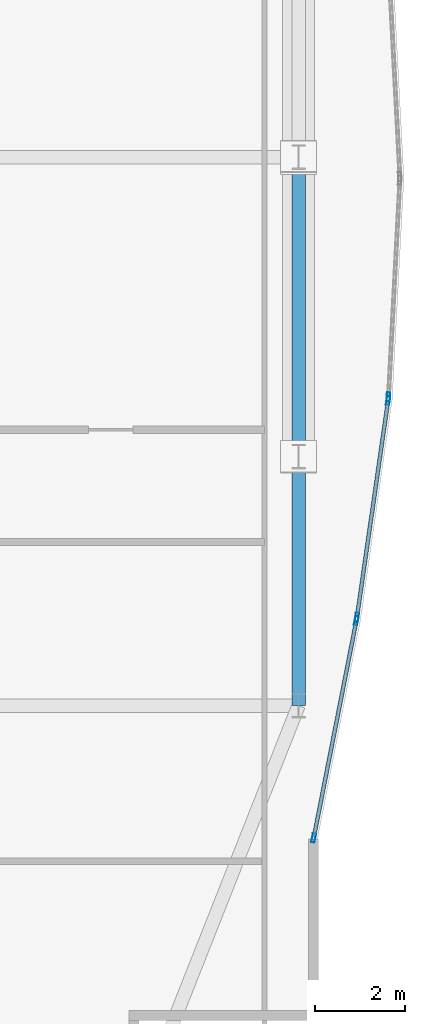
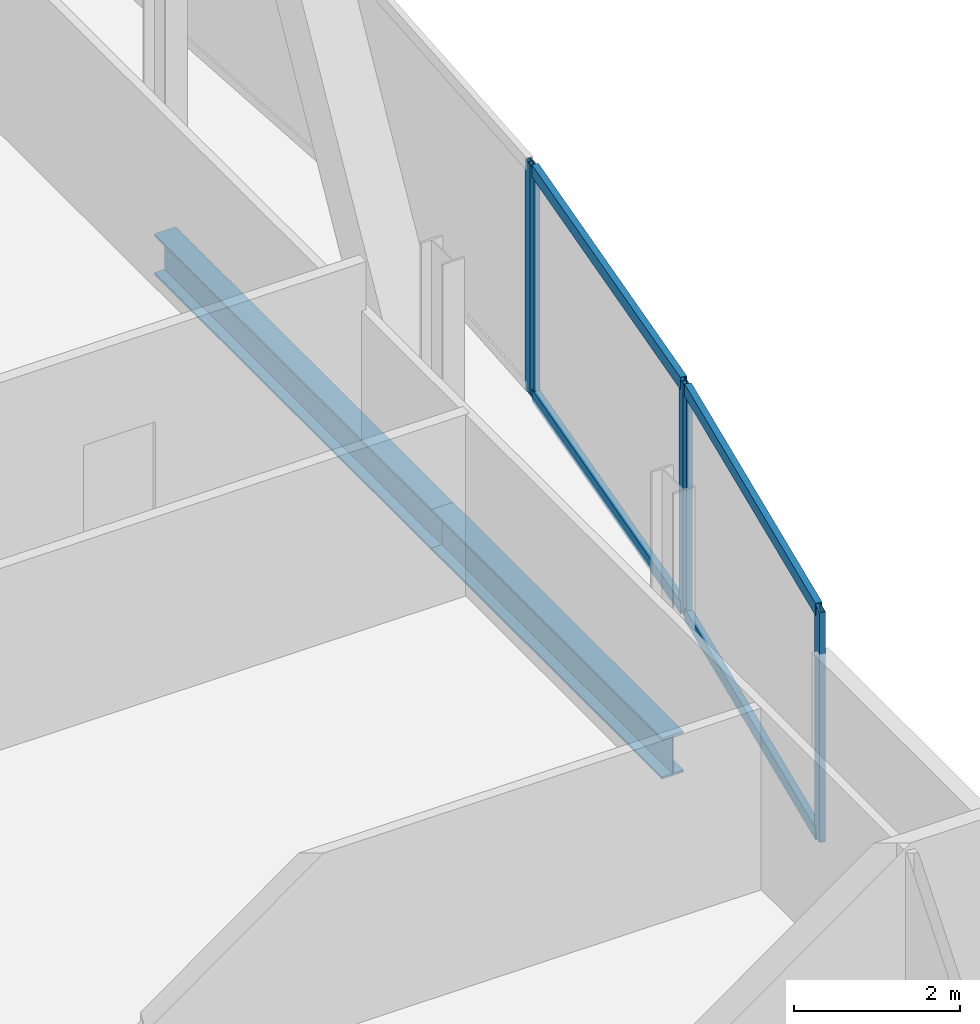
# One storey, part 22 of 31: 9 members, 2 beams, 3 elements without a shape of their own.
"""IFC4 building model written with IfcOpenShell, lengths in metres."""

from ifc_helpers import new_model, si_unit, direction, frame, origin, origin_2d, place, context, subcontext, project, spatial, hollow_rectangle, i_section, extrude, material, material_profile, profile_set, type_object, element, aggregate, save


model = new_model("IFC4")

# Units and contexts
model_context = context("Model", 3, precision=1e-05, world=origin(), true_north=direction((0.0, 1.0)))
body_context = subcontext(model_context, "Body", "Model", "MODEL_VIEW")
ifc_project = project(units=[si_unit("LENGTHUNIT", "METRE"), si_unit("AREAUNIT", "SQUARE_METRE"), si_unit("VOLUMEUNIT", "CUBIC_METRE"), si_unit("PLANEANGLEUNIT", "RADIAN"), si_unit("MASSUNIT", "GRAM", prefix="KILO")], contexts=[model_context])

# Site, building, storey
site_placement = place(None, origin())
site = spatial("IfcSite", under=ifc_project, at=site_placement, CompositionType="ELEMENT")
building_placement = place(site_placement, origin())
building = spatial("IfcBuilding", under=site, at=building_placement, Name="Khoronbel Lancet Exchange", CompositionType="ELEMENT")
storey_placement = place(building_placement, frame((0.0, 0.0, 168.60009765625)))
storey = spatial("IfcBuildingStorey", under=building, at=storey_placement, Name="L42", CompositionType="ELEMENT", Elevation=168.60009765625)

# Beams
ifc_material_1 = material(Name="Steel S355", Category="steel")
ifc_material_profile_1 = material_profile(ifc_material_1, i_section(OverallWidth=0.300048828125, OverallDepth=0.60009765625, WebThickness=0.015380859375, FlangeThickness=0.030029296875, at=origin_2d()), Name="HEB 600")
ifc_profile_set_1 = profile_set([ifc_material_profile_1], Name="Steel S355")
beam_type = type_object("IfcBeamType", Name="BM-BSP2", PredefinedType="SPANDREL", material=ifc_profile_set_1)
beam_1_placement = place(storey_placement, frame((67.6298828125, 19.199951171875, -0.460205078125), z_axis=(0.0, 1.0, 0.0), x_axis=(-1.0, 0.0, 0.0)))
element("IfcBeam", 1, at=beam_1_placement, inside=storey, type_object=beam_type, Name="Level L42 perimeter spandrel beam SP11", PredefinedType="SPANDREL", context=body_context, shape_type="SweptSolid", body=[
    extrude(i_section(OverallWidth=0.300048828125, OverallDepth=0.60009765625, WebThickness=0.015380859375, FlangeThickness=0.030029296875, at=origin_2d()), origin(), (0.0, 0.0, 1.0), 5.550048828125),
])
beam_2_placement = place(storey_placement, frame((67.6298828125, 24.75, -0.460205078125), z_axis=(0.0, 1.0, 0.0), x_axis=(-1.0, 0.0, 0.0)))
element("IfcBeam", 2, at=beam_2_placement, inside=storey, type_object=beam_type, Name="Level L42 perimeter spandrel beam SP12", PredefinedType="SPANDREL", context=body_context, shape_type="SweptSolid", body=[
    extrude(i_section(OverallWidth=0.300048828125, OverallDepth=0.60009765625, WebThickness=0.015380859375, FlangeThickness=0.030029296875, at=origin_2d()), origin(), (0.0, 0.0, 1.0), 6.675048828125),
])

# Curtain wall, member
ifc_material_2 = material(Name="Low-E Solar Control Insulating Glass", Category="glass")
curtain_wall_type = type_object("IfcCurtainWallType", Name="CW-4", PredefinedType="NOTDEFINED", material=ifc_material_2)
curtain_wall_1_placement = place(storey_placement, origin())
curtain_wall_1 = element("IfcCurtainWall", 3, at=curtain_wall_1_placement, inside=storey, type_object=curtain_wall_type, Name="Unitised curtain wall CW-L42-E20", PredefinedType="NOTDEFINED")
ifc_material_3 = material(Name="Bronze-Anodised Aluminium 6063-T6", Category="aluminium")
ifc_material_profile_2 = material_profile(ifc_material_3, hollow_rectangle(XDim=0.074951171875, YDim=0.199951171875, WallThickness=0.0048828125, at=origin_2d()), Name="ALU MULLION 75x200")
ifc_profile_set_2 = profile_set([ifc_material_profile_2], Name="Bronze-Anodised Aluminium 6063-T6")
member_type_1 = type_object("IfcMemberType", Name="MEM-CWM2", PredefinedType="MULLION", material=ifc_profile_set_2)
member_1_placement = place(storey_placement, frame((69.634033203125, 26.07958984375, 0.0), z_axis=(0.0, 0.0, 1.0), x_axis=(0.998619009442, -0.052536406245, 0.0)))
member_1 = element("IfcMember", 4, at=member_1_placement, type_object=member_type_1, Name="CW4 mullion 2", PredefinedType="MULLION", context=body_context, shape_type="SweptSolid", body=[
    extrude(hollow_rectangle(XDim=0.074951171875, YDim=0.199951171875, WallThickness=0.0048828125, at=origin_2d()), origin(), (0.0, 0.0, 1.0), 3.3798828125),
])
aggregate(curtain_wall_1, [member_1])

# Curtain wall, members
curtain_wall_2_placement = place(storey_placement, origin())
curtain_wall_2 = element("IfcCurtainWall", 5, at=curtain_wall_2_placement, inside=storey, type_object=curtain_wall_type, Name="Unitised curtain wall CW-L42-E21", PredefinedType="NOTDEFINED")
member_2_placement = place(storey_placement, frame((69.626708984375, 26.0048828125, 0.0), z_axis=(0.0, 0.0, 1.0), x_axis=(0.989829804459, -0.142256663132, 0.0)))
member_2 = element("IfcMember", 6, at=member_2_placement, type_object=member_type_1, Name="CW4 mullion 1", PredefinedType="MULLION", context=body_context, shape_type="SweptSolid", body=[
    extrude(hollow_rectangle(XDim=0.074951171875, YDim=0.199951171875, WallThickness=0.0048828125, at=origin_2d()), origin(), (0.0, 0.0, 1.0), 3.3798828125),
])
member_3_placement = place(storey_placement, frame((68.931640625, 21.1689453125, 0.0), z_axis=(0.0, 0.0, 1.0), x_axis=(0.989829804459, -0.142256663132, 0.0)))
member_3 = element("IfcMember", 7, at=member_3_placement, type_object=member_type_1, Name="CW4 mullion 2", PredefinedType="MULLION", context=body_context, shape_type="SweptSolid", body=[
    extrude(hollow_rectangle(XDim=0.074951171875, YDim=0.199951171875, WallThickness=0.0048828125, at=origin_2d()), origin(), (0.0, 0.0, 1.0), 3.3798828125),
])

curtain_wall_3_placement = place(storey_placement, origin())
curtain_wall_3 = element("IfcCurtainWall", 8, at=curtain_wall_3_placement, inside=storey, type_object=curtain_wall_type, Name="Unitised curtain wall CW-L42-E22", PredefinedType="NOTDEFINED")
member_4_placement = place(storey_placement, frame((68.919189453125, 21.094970703125, 0.0), z_axis=(0.0, 0.0, 1.0), x_axis=(0.981272105563, -0.192626724116, 0.0)))
member_4 = element("IfcMember", 9, at=member_4_placement, type_object=member_type_1, Name="CW4 mullion 1", PredefinedType="MULLION", context=body_context, shape_type="SweptSolid", body=[
    extrude(hollow_rectangle(XDim=0.074951171875, YDim=0.199951171875, WallThickness=0.0048828125, at=origin_2d()), origin(), (0.0, 0.0, 1.0), 3.3798828125),
])
member_5_placement = place(storey_placement, frame((67.96728515625, 16.24560546875, 0.0), z_axis=(0.0, 0.0, 1.0), x_axis=(0.981272105563, -0.192626724116, 0.0)))
member_5 = element("IfcMember", 10, at=member_5_placement, type_object=member_type_1, Name="CW4 mullion 2", PredefinedType="MULLION", context=body_context, shape_type="SweptSolid", body=[
    extrude(hollow_rectangle(XDim=0.074951171875, YDim=0.199951171875, WallThickness=0.0048828125, at=origin_2d()), origin(), (0.0, 0.0, 1.0), 3.3798828125),
])

# Member
ifc_material_profile_3 = material_profile(ifc_material_3, hollow_rectangle(XDim=0.0849609375, YDim=0.179931640625, WallThickness=0.0048828125, at=origin_2d()), Name="ALU TRANSOM 85x180")
ifc_profile_set_3 = profile_set([ifc_material_profile_3], Name="Bronze-Anodised Aluminium 6063-T6")
member_type_2 = type_object("IfcMemberType", Name="MEM-CWT1", PredefinedType="USERDEFINED", material=ifc_profile_set_3)
member_6_placement = place(storey_placement, frame((69.621337890625, 25.9677734375, 0.04248046875), z_axis=(-0.142252593383, -0.989830389348, 0.0), x_axis=(0.989830389348, -0.142252593383, 0.0)))
member_6 = element("IfcMember", 11, at=member_6_placement, type_object=member_type_2, Name="CW4 transom 1.1", ObjectType="TRANSOM", PredefinedType="USERDEFINED", context=body_context, shape_type="SweptSolid", body=[
    extrude(hollow_rectangle(XDim=0.0849609375, YDim=0.179931640625, WallThickness=0.0048828125, at=origin_2d()), origin(), (0.0, 0.0, 1.0), 4.810546875),
])

member_7_placement = place(storey_placement, frame((69.621337890625, 25.9677734375, 3.33740234375), z_axis=(-0.142252593383, -0.989830389348, 0.0), x_axis=(0.989830389348, -0.142252593383, 0.0)))
member_7 = element("IfcMember", 12, at=member_7_placement, type_object=member_type_2, Name="CW4 transom 1.2", ObjectType="TRANSOM", PredefinedType="USERDEFINED", context=body_context, shape_type="SweptSolid", body=[
    extrude(hollow_rectangle(XDim=0.0849609375, YDim=0.179931640625, WallThickness=0.0048828125, at=origin_2d()), origin(), (0.0, 0.0, 1.0), 4.810546875),
])

aggregate(curtain_wall_2, [member_2, member_3, member_6, member_7])

member_8_placement = place(storey_placement, frame((68.911865234375, 21.05810546875, 0.04248046875), z_axis=(-0.192632312891, -0.981271008453, 0.0), x_axis=(0.981271008453, -0.192632312891, 0.0)))
member_8 = element("IfcMember", 13, at=member_8_placement, type_object=member_type_2, Name="CW4 transom 1.1", ObjectType="TRANSOM", PredefinedType="USERDEFINED", context=body_context, shape_type="SweptSolid", body=[
    extrude(hollow_rectangle(XDim=0.0849609375, YDim=0.179931640625, WallThickness=0.0048828125, at=origin_2d()), origin(), (0.0, 0.0, 1.0), 4.86669921875),
])

member_9_placement = place(storey_placement, frame((68.911865234375, 21.05810546875, 3.33740234375), z_axis=(-0.192632312891, -0.981271008453, 0.0), x_axis=(0.981271008453, -0.192632312891, 0.0)))
member_9 = element("IfcMember", 14, at=member_9_placement, type_object=member_type_2, Name="CW4 transom 1.2", ObjectType="TRANSOM", PredefinedType="USERDEFINED", context=body_context, shape_type="SweptSolid", body=[
    extrude(hollow_rectangle(XDim=0.0849609375, YDim=0.179931640625, WallThickness=0.0048828125, at=origin_2d()), origin(), (0.0, 0.0, 1.0), 4.86669921875),
])

aggregate(curtain_wall_3, [member_4, member_5, member_8, member_9])

save(model, "model.ifc")
